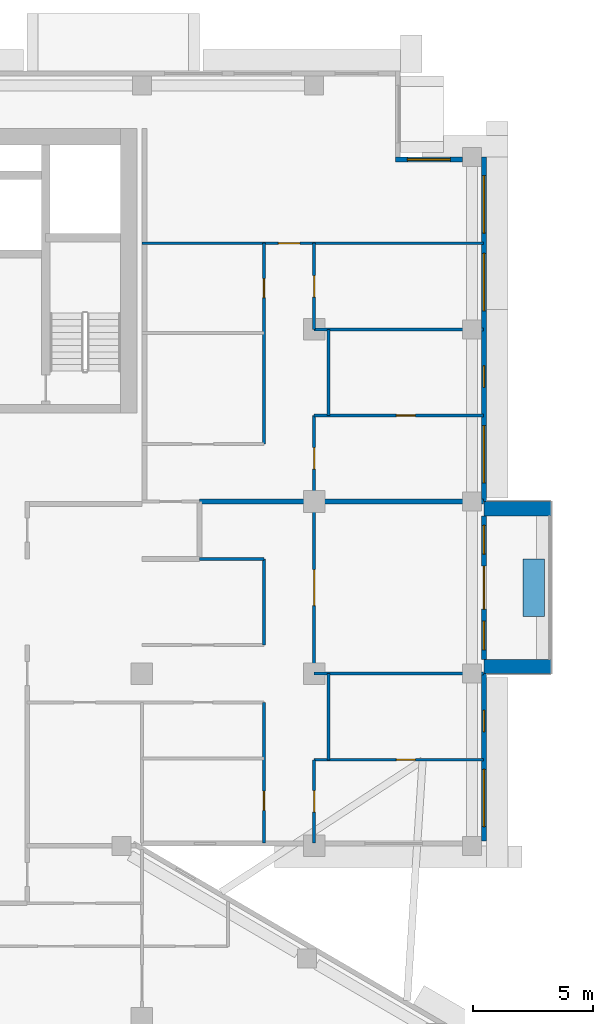
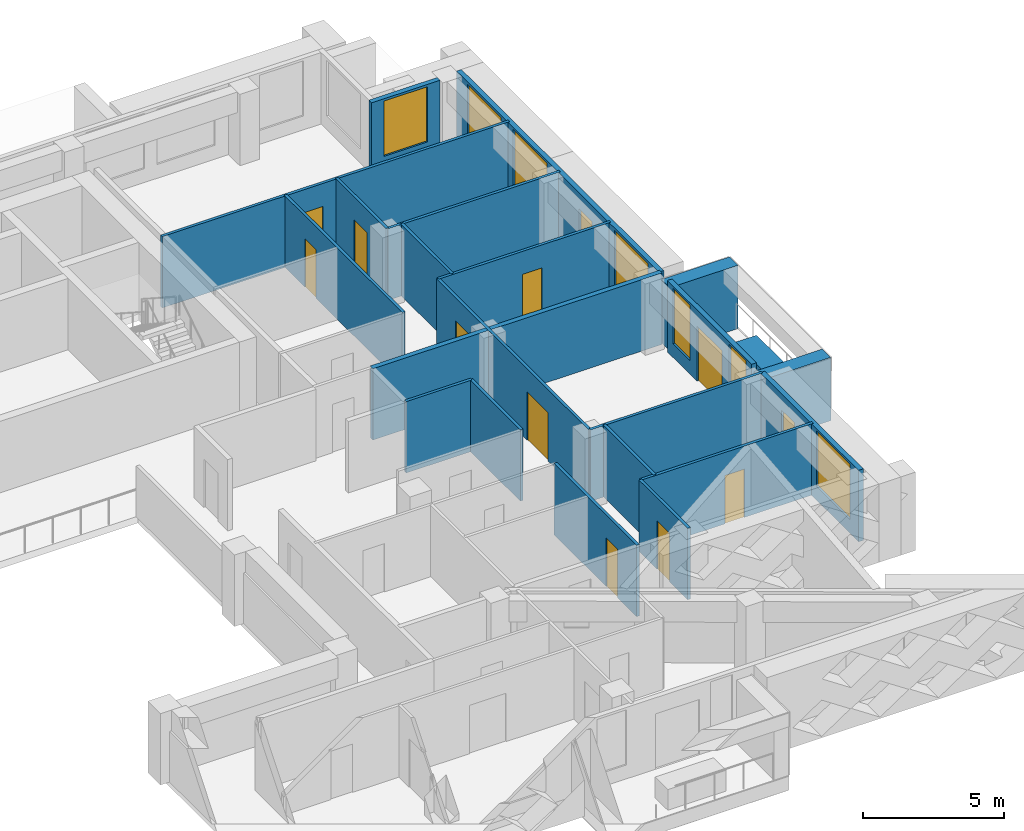
# One storey, part 12 of 20: 22 walls, 10 doors, 9 windows, 19 openings.
"""IFC4 building model written with IfcOpenShell, lengths in metres."""

from ifc_helpers import new_model, si_unit, direction, frame, frame_2d, origin, place, context, subcontext, project, spatial, rectangle, extrude, material, layer, layer_set, type_object, element, fill, save


model = new_model("IFC4")

# Units and contexts
model_context = context("Model", 3, precision=1e-05, world=origin(), true_north=direction((0.0, 1.0)))
body_context = subcontext(model_context, "Body", "Model", "MODEL_VIEW")
ifc_project = project(units=[si_unit("LENGTHUNIT", "METRE"), si_unit("AREAUNIT", "SQUARE_METRE"), si_unit("VOLUMEUNIT", "CUBIC_METRE"), si_unit("PLANEANGLEUNIT", "RADIAN"), si_unit("MASSUNIT", "GRAM", prefix="KILO")], contexts=[model_context])

# Site, building, storey
site_placement = place(None, origin())
site = spatial("IfcSite", under=ifc_project, at=site_placement, CompositionType="ELEMENT")
building_placement = place(site_placement, origin())
building = spatial("IfcBuilding", under=site, at=building_placement, Name="Saffron Iwan Residences", CompositionType="ELEMENT")
storey_placement = place(building_placement, frame((0.0, 0.0, 202.5)))
storey = spatial("IfcBuildingStorey", under=building, at=storey_placement, Name="L54", CompositionType="ELEMENT", Elevation=202.5)

# Walls
ifc_material_1 = material(Name="Concrete C50/60 white painted", Category="concrete")
ifc_layer_1 = layer(ifc_material_1, 0.60009765625)
ifc_layer_set_1 = layer_set([ifc_layer_1], Name="Concrete C50/60 white painted")
wall_type_1 = type_object("IfcWallType", Name="BALCONY FIN 600", PredefinedType="SOLIDWALL", material=ifc_layer_set_1)
for number, where, z_axis, x_axis, name in (
    (1, (86.300048828125, 55.5, 0.0), (0.0, 0.0, 1.0), (1.0, 0.0, 0.0), "Balcony fin L54 F2-0a"),
    (2, (86.300048828125, 62.10009765625, 0.0), (0.0, 0.0, 1.0), (1.0, 0.0, 0.0), "Balcony fin L54 F2-0b"),
):
    element("IfcWall", number, at=place(storey_placement, frame(where, z_axis=z_axis, x_axis=x_axis)), inside=storey, type_object=wall_type_1, Name=name, PredefinedType="SOLIDWALL", context=body_context, shape_type="SweptSolid", body=[
        extrude(rectangle(XDim=2.800048828125, YDim=0.60009765625, at=frame_2d((1.39990234375, 0.0))), origin(), (0.0, 0.0, 1.0), 2.75),
    ])
ifc_material_2 = material(Name="Concrete C35/45 white painted", Category="concrete")
ifc_layer_2 = layer(ifc_material_2, 0.14990234375)
ifc_layer_set_2 = layer_set([ifc_layer_2], Name="Concrete C35/45 white painted")
wall_type_2 = type_object("IfcWallType", Name="BALCONY PLANTER", PredefinedType="SOLIDWALL", material=ifc_layer_set_2)
wall_1_placement = place(storey_placement, frame((88.375, 57.60009765625, 0.0), z_axis=(0.0, 0.0, 1.0), x_axis=(0.0, 1.0, 0.0)))
element("IfcWall", 3, at=wall_1_placement, inside=storey, type_object=wall_type_2, Name="PLANTER L54 F2-0", PredefinedType="SOLIDWALL", context=body_context, shape_type="SweptSolid", body=[
    extrude(rectangle(XDim=2.39990234375, YDim=0.89990234375, at=frame_2d((1.199951171875, 0.0))), origin(), (0.0, 0.0, 1.0), 0.89990234375),
])

# Wall, openings, windows
ifc_material_3 = material(Name="Concrete C40/50", Category="concrete")
ifc_layer_3 = layer(ifc_material_3, 0.199951171875)
ifc_layer_set_3 = layer_set([ifc_layer_3], Name="Concrete C40/50")
wall_type_3 = type_object("IfcWallType", Name="EXTERNAL WALL 200", PredefinedType="SOLIDWALL", material=ifc_layer_set_3)
wall_2_placement = place(storey_placement, frame((86.300048828125, 48.199951171875, 0.0), z_axis=(0.0, 0.0, 1.0), x_axis=(0.0, 1.0, 0.0)))
wall_2 = element("IfcWall", 4, at=wall_2_placement, inside=storey, type_object=wall_type_3, Name="External wall L54 F2.0", PredefinedType="SOLIDWALL", context=body_context, shape_type="SweptSolid", body=[
    extrude(rectangle(XDim=7.0, YDim=0.199951171875, at=frame_2d((3.5, 0.0))), origin(), (0.0, 0.0, 1.0), 3.10009765625),
])
opening_1_placement = place(wall_2_placement, frame((0.60009765625, 0.0, 0.60009765625)))
opening_1 = element("IfcOpeningElement", 5, at=opening_1_placement, cuts=wall_2, Name="Opening W1", PredefinedType="OPENING", context=body_context, shape_type="SweptSolid", body=[
    extrude(rectangle(XDim=2.39990234375, YDim=2.39990234375, at=frame_2d((1.199951171875, 1.199951171875))), frame((0.0, 0.10986328125, 0.0), z_axis=(0.0, -1.0, 0.0), x_axis=(1.0, 0.0, 0.0)), (0.0, 0.0, 1.0), 0.219970703125),
])
opening_2_placement = place(wall_2_placement, frame((4.574951171875, 0.0, 1.5)))
opening_2 = element("IfcOpeningElement", 6, at=opening_2_placement, cuts=wall_2, Name="Opening W6", PredefinedType="OPENING", context=body_context, shape_type="SweptSolid", body=[
    extrude(rectangle(XDim=0.89990234375, YDim=0.89990234375, at=frame_2d((0.449951171875, 0.449951171875))), frame((0.0, 0.10986328125, 0.0), z_axis=(0.0, -1.0, 0.0), x_axis=(1.0, 0.0, 0.0)), (0.0, 0.0, 1.0), 0.219970703125),
])
ifc_material_4 = material(Name="Clear glass, laminated double glazed", Category="glass")
window_type_1 = type_object("IfcWindowType", Name="WINDOW 2400 x 2400", PartitioningType="DOUBLE_PANEL_VERTICAL", PredefinedType="WINDOW", material=ifc_material_4)
window_1_placement = place(opening_1_placement, origin())
window_1 = element("IfcWindow", 7, at=window_1_placement, inside=storey, type_object=window_type_1, Name="Window L54 F2.0", OverallHeight=2.39990234375, OverallWidth=2.39990234375, PartitioningType="DOUBLE_PANEL_VERTICAL", PredefinedType="WINDOW", context=body_context, shape_type="SweptSolid", body=[
    extrude(rectangle(XDim=2.39990234375, YDim=2.39990234375, at=frame_2d((1.199951171875, 1.199951171875))), frame((0.0, 0.030029296875, 0.0), z_axis=(0.0, -1.0, 0.0), x_axis=(1.0, 0.0, 0.0)), (0.0, 0.0, 1.0), 0.06005859375),
])
fill(opening_1, window_1)
window_type_2 = type_object("IfcWindowType", Name="WINDOW 900 x 900 BATH", PartitioningType="SINGLE_PANEL", PredefinedType="WINDOW", material=ifc_material_4)
window_2_placement = place(opening_2_placement, origin())
window_2 = element("IfcWindow", 8, at=window_2_placement, inside=storey, type_object=window_type_2, Name="Window L54 F2.1", OverallHeight=0.89990234375, OverallWidth=0.89990234375, PartitioningType="SINGLE_PANEL", PredefinedType="WINDOW", context=body_context, shape_type="SweptSolid", body=[
    extrude(rectangle(XDim=0.89990234375, YDim=0.89990234375, at=frame_2d((0.449951171875, 0.449951171875))), frame((0.0, 0.030029296875, 0.0), z_axis=(0.0, -1.0, 0.0), x_axis=(1.0, 0.0, 0.0)), (0.0, 0.0, 1.0), 0.06005859375),
])
fill(opening_2, window_2)

# Wall, openings, door, windows
wall_3_placement = place(storey_placement, frame((86.300048828125, 55.800048828125, 0.0), z_axis=(0.0, 0.0, 1.0), x_axis=(0.0, 1.0, 0.0)))
wall_3 = element("IfcWall", 9, at=wall_3_placement, inside=storey, type_object=wall_type_3, Name="External wall L54 F2.1", PredefinedType="SOLIDWALL", context=body_context, shape_type="SweptSolid", body=[
    extrude(rectangle(XDim=6.0, YDim=0.199951171875, at=frame_2d((3.0, 0.0))), origin(), (0.0, 0.0, 1.0), 3.10009765625),
])
opening_3_placement = place(wall_3_placement, frame((2.10009765625, 0.0, 0.0)))
opening_3 = element("IfcOpeningElement", 10, at=opening_3_placement, cuts=wall_3, Name="Opening BD1", PredefinedType="OPENING", context=body_context, shape_type="SweptSolid", body=[
    extrude(rectangle(XDim=1.800048828125, YDim=2.39990234375, at=frame_2d((0.89990234375, 1.199951171875))), frame((0.0, 0.10986328125, 0.0), z_axis=(0.0, -1.0, 0.0), x_axis=(1.0, 0.0, 0.0)), (0.0, 0.0, 1.0), 0.219970703125),
])
opening_4_placement = place(wall_3_placement, frame((0.39990234375, 0.0, 0.60009765625)))
opening_4 = element("IfcOpeningElement", 11, at=opening_4_placement, cuts=wall_3, Name="Opening W3", PredefinedType="OPENING", context=body_context, shape_type="SweptSolid", body=[
    extrude(rectangle(XDim=1.199951171875, YDim=2.39990234375, at=frame_2d((0.60009765625, 1.199951171875))), frame((0.0, 0.10986328125, 0.0), z_axis=(0.0, -1.0, 0.0), x_axis=(1.0, 0.0, 0.0)), (0.0, 0.0, 1.0), 0.219970703125),
])
opening_5_placement = place(wall_3_placement, frame((4.39990234375, 0.0, 0.60009765625)))
opening_5 = element("IfcOpeningElement", 12, at=opening_5_placement, cuts=wall_3, Name="Opening W3", PredefinedType="OPENING", context=body_context, shape_type="SweptSolid", body=[
    extrude(rectangle(XDim=1.199951171875, YDim=2.39990234375, at=frame_2d((0.60009765625, 1.199951171875))), frame((0.0, 0.10986328125, 0.0), z_axis=(0.0, -1.0, 0.0), x_axis=(1.0, 0.0, 0.0)), (0.0, 0.0, 1.0), 0.219970703125),
])
door_type_1 = type_object("IfcDoorType", Name="BALCONY DOOR 1800 x 2400", OperationType="DOUBLE_DOOR_SLIDING", PredefinedType="DOOR", material=ifc_material_4)
door_1_placement = place(opening_3_placement, origin())
door_1 = element("IfcDoor", 13, at=door_1_placement, inside=storey, type_object=door_type_1, Name="Balcony door L54 F2.0", OperationType="DOUBLE_DOOR_SLIDING", OverallHeight=2.39990234375, OverallWidth=1.800048828125, PredefinedType="DOOR", context=body_context, shape_type="SweptSolid", body=[
    extrude(rectangle(XDim=1.800048828125, YDim=2.39990234375, at=frame_2d((0.89990234375, 1.199951171875))), frame((0.0, 0.02490234375, 0.0), z_axis=(0.0, -1.0, 0.0), x_axis=(1.0, 0.0, 0.0)), (0.0, 0.0, 1.0), 0.050048828125),
])
fill(opening_3, door_1)
window_type_3 = type_object("IfcWindowType", Name="WINDOW 1200 x 2400", PartitioningType="SINGLE_PANEL", PredefinedType="WINDOW", material=ifc_material_4)
window_3_placement = place(opening_4_placement, origin())
window_3 = element("IfcWindow", 14, at=window_3_placement, inside=storey, type_object=window_type_3, Name="Window L54 F2.1", OverallHeight=2.39990234375, OverallWidth=1.199951171875, PartitioningType="SINGLE_PANEL", PredefinedType="WINDOW", context=body_context, shape_type="SweptSolid", body=[
    extrude(rectangle(XDim=1.199951171875, YDim=2.39990234375, at=frame_2d((0.60009765625, 1.199951171875))), frame((0.0, 0.030029296875, 0.0), z_axis=(0.0, -1.0, 0.0), x_axis=(1.0, 0.0, 0.0)), (0.0, 0.0, 1.0), 0.06005859375),
])
fill(opening_4, window_3)
window_4_placement = place(opening_5_placement, origin())
window_4 = element("IfcWindow", 15, at=window_4_placement, inside=storey, type_object=window_type_3, Name="Window L54 F2.2", OverallHeight=2.39990234375, OverallWidth=1.199951171875, PartitioningType="SINGLE_PANEL", PredefinedType="WINDOW", context=body_context, shape_type="SweptSolid", body=[
    extrude(rectangle(XDim=1.199951171875, YDim=2.39990234375, at=frame_2d((0.60009765625, 1.199951171875))), frame((0.0, 0.030029296875, 0.0), z_axis=(0.0, -1.0, 0.0), x_axis=(1.0, 0.0, 0.0)), (0.0, 0.0, 1.0), 0.06005859375),
])
fill(opening_5, window_4)

# Wall, openings, windows
wall_4_placement = place(storey_placement, frame((86.300048828125, 62.39990234375, 0.0), z_axis=(0.0, 0.0, 1.0), x_axis=(0.0, 1.0, 0.0)))
wall_4 = element("IfcWall", 16, at=wall_4_placement, inside=storey, type_object=wall_type_3, Name="External wall L54 F2.2", PredefinedType="SOLIDWALL", context=body_context, shape_type="SweptSolid", body=[
    extrude(rectangle(XDim=14.400146484375, YDim=0.199951171875, at=frame_2d((7.2001953125, 0.0))), origin(), (0.0, 0.0, 1.0), 3.10009765625),
])
opening_6_placement = place(wall_4_placement, frame((0.77490234375, 0.0, 0.60009765625)))
opening_6 = element("IfcOpeningElement", 17, at=opening_6_placement, cuts=wall_4, Name="Opening W1", PredefinedType="OPENING", context=body_context, shape_type="SweptSolid", body=[
    extrude(rectangle(XDim=2.39990234375, YDim=2.39990234375, at=frame_2d((1.199951171875, 1.199951171875))), frame((0.0, 0.10986328125, 0.0), z_axis=(0.0, -1.0, 0.0), x_axis=(1.0, 0.0, 0.0)), (0.0, 0.0, 1.0), 0.219970703125),
])
opening_7_placement = place(wall_4_placement, frame((4.77490234375, 0.0, 1.5)))
opening_7 = element("IfcOpeningElement", 18, at=opening_7_placement, cuts=wall_4, Name="Opening W6", PredefinedType="OPENING", context=body_context, shape_type="SweptSolid", body=[
    extrude(rectangle(XDim=0.89990234375, YDim=0.89990234375, at=frame_2d((0.449951171875, 0.449951171875))), frame((0.0, 0.10986328125, 0.0), z_axis=(0.0, -1.0, 0.0), x_axis=(1.0, 0.0, 0.0)), (0.0, 0.0, 1.0), 0.219970703125),
])
opening_8_placement = place(wall_4_placement, frame((7.97509765625, 0.0, 0.60009765625)))
opening_8 = element("IfcOpeningElement", 19, at=opening_8_placement, cuts=wall_4, Name="Opening W1", PredefinedType="OPENING", context=body_context, shape_type="SweptSolid", body=[
    extrude(rectangle(XDim=2.39990234375, YDim=2.39990234375, at=frame_2d((1.199951171875, 1.199951171875))), frame((0.0, 0.10986328125, 0.0), z_axis=(0.0, -1.0, 0.0), x_axis=(1.0, 0.0, 0.0)), (0.0, 0.0, 1.0), 0.219970703125),
])
opening_9_placement = place(wall_4_placement, frame((11.22509765625, 0.0, 0.60009765625)))
opening_9 = element("IfcOpeningElement", 20, at=opening_9_placement, cuts=wall_4, Name="Opening W1", PredefinedType="OPENING", context=body_context, shape_type="SweptSolid", body=[
    extrude(rectangle(XDim=2.39990234375, YDim=2.39990234375, at=frame_2d((1.199951171875, 1.199951171875))), frame((0.0, 0.10986328125, 0.0), z_axis=(0.0, -1.0, 0.0), x_axis=(1.0, 0.0, 0.0)), (0.0, 0.0, 1.0), 0.219970703125),
])
window_5_placement = place(opening_6_placement, origin())
window_5 = element("IfcWindow", 21, at=window_5_placement, inside=storey, type_object=window_type_1, Name="Window L54 F2.0", OverallHeight=2.39990234375, OverallWidth=2.39990234375, PartitioningType="DOUBLE_PANEL_VERTICAL", PredefinedType="WINDOW", context=body_context, shape_type="SweptSolid", body=[
    extrude(rectangle(XDim=2.39990234375, YDim=2.39990234375, at=frame_2d((1.199951171875, 1.199951171875))), frame((0.0, 0.030029296875, 0.0), z_axis=(0.0, -1.0, 0.0), x_axis=(1.0, 0.0, 0.0)), (0.0, 0.0, 1.0), 0.06005859375),
])
fill(opening_6, window_5)
window_6_placement = place(opening_8_placement, origin())
window_6 = element("IfcWindow", 22, at=window_6_placement, inside=storey, type_object=window_type_1, Name="Window L54 F2.2", OverallHeight=2.39990234375, OverallWidth=2.39990234375, PartitioningType="DOUBLE_PANEL_VERTICAL", PredefinedType="WINDOW", context=body_context, shape_type="SweptSolid", body=[
    extrude(rectangle(XDim=2.39990234375, YDim=2.39990234375, at=frame_2d((1.199951171875, 1.199951171875))), frame((0.0, 0.030029296875, 0.0), z_axis=(0.0, -1.0, 0.0), x_axis=(1.0, 0.0, 0.0)), (0.0, 0.0, 1.0), 0.06005859375),
])
fill(opening_8, window_6)
window_7_placement = place(opening_9_placement, origin())
window_7 = element("IfcWindow", 23, at=window_7_placement, inside=storey, type_object=window_type_1, Name="Window L54 F2.3", OverallHeight=2.39990234375, OverallWidth=2.39990234375, PartitioningType="DOUBLE_PANEL_VERTICAL", PredefinedType="WINDOW", context=body_context, shape_type="SweptSolid", body=[
    extrude(rectangle(XDim=2.39990234375, YDim=2.39990234375, at=frame_2d((1.199951171875, 1.199951171875))), frame((0.0, 0.030029296875, 0.0), z_axis=(0.0, -1.0, 0.0), x_axis=(1.0, 0.0, 0.0)), (0.0, 0.0, 1.0), 0.06005859375),
])
fill(opening_9, window_7)
window_8_placement = place(opening_7_placement, origin())
window_8 = element("IfcWindow", 24, at=window_8_placement, inside=storey, type_object=window_type_2, Name="Window L54 F2.1", OverallHeight=0.89990234375, OverallWidth=0.89990234375, PartitioningType="SINGLE_PANEL", PredefinedType="WINDOW", context=body_context, shape_type="SweptSolid", body=[
    extrude(rectangle(XDim=0.89990234375, YDim=0.89990234375, at=frame_2d((0.449951171875, 0.449951171875))), frame((0.0, 0.030029296875, 0.0), z_axis=(0.0, -1.0, 0.0), x_axis=(1.0, 0.0, 0.0)), (0.0, 0.0, 1.0), 0.06005859375),
])
fill(opening_7, window_8)

# Wall, opening, window
wall_5_placement = place(storey_placement, frame((85.39990234375, 76.699951171875, 0.0), z_axis=(0.0, 0.0, 1.0), x_axis=(-1.0, 0.0, 0.0)))
wall_5 = element("IfcWall", 25, at=wall_5_placement, inside=storey, type_object=wall_type_3, Name="External wall L54 F3.0", PredefinedType="SOLIDWALL", context=body_context, shape_type="SweptSolid", body=[
    extrude(rectangle(XDim=2.7998046875, YDim=0.199951171875, at=frame_2d((1.39990234375, 0.0))), origin(), (0.0, 0.0, 1.0), 3.10009765625),
])
opening_10_placement = place(wall_5_placement, frame((0.5, 0.0, 0.60009765625)))
opening_10 = element("IfcOpeningElement", 26, at=opening_10_placement, cuts=wall_5, Name="Opening W8", PredefinedType="OPENING", context=body_context, shape_type="SweptSolid", body=[
    extrude(rectangle(XDim=1.800048828125, YDim=2.39990234375, at=frame_2d((0.89990234375, 1.199951171875))), frame((0.0, 0.10986328125, 0.0), z_axis=(0.0, -1.0, 0.0), x_axis=(1.0, 0.0, 0.0)), (0.0, 0.0, 1.0), 0.219970703125),
])
window_type_4 = type_object("IfcWindowType", Name="WINDOW 1800 x 2400", PartitioningType="DOUBLE_PANEL_VERTICAL", PredefinedType="WINDOW", material=ifc_material_4)
window_9_placement = place(opening_10_placement, origin())
window_9 = element("IfcWindow", 27, at=window_9_placement, inside=storey, type_object=window_type_4, Name="Window L54 F3.0", OverallHeight=2.39990234375, OverallWidth=1.800048828125, PartitioningType="DOUBLE_PANEL_VERTICAL", PredefinedType="WINDOW", context=body_context, shape_type="SweptSolid", body=[
    extrude(rectangle(XDim=1.800048828125, YDim=2.39990234375, at=frame_2d((0.89990234375, 1.199951171875))), frame((0.0, 0.030029296875, 0.0), z_axis=(0.0, -1.0, 0.0), x_axis=(1.0, 0.0, 0.0)), (0.0, 0.0, 1.0), 0.06005859375),
])
fill(opening_10, window_9)

# Wall
ifc_material_5 = material(Name="Fire-rated gypsum board wall")
ifc_layer_4 = layer(ifc_material_5, 0.199951171875)
ifc_layer_set_4 = layer_set([ifc_layer_4], Name="Fire-rated gypsum board wall")
wall_type_4 = type_object("IfcWallType", Name="Flat demising wall 200", PredefinedType="SOLIDWALL", material=ifc_layer_set_4)
wall_6_placement = place(storey_placement, frame((74.39990234375, 62.39990234375, 0.0), z_axis=(0.0, 0.0, 1.0), x_axis=(1.0, 0.0, 0.0)))
element("IfcWall", 28, at=wall_6_placement, inside=storey, type_object=wall_type_4, Name="W-L54-DEMISE-h62.4-74.4", PredefinedType="SOLIDWALL", context=body_context, shape_type="SweptSolid", body=[
    extrude(rectangle(XDim=11.875, YDim=0.199951171875, at=frame_2d((5.9375, 0.0))), origin(), (0.0, 0.0, 1.0), 3.10009765625),
])

# Wall, opening, door
ifc_material_6 = material(Name="Gypsum board partition")
ifc_layer_5 = layer(ifc_material_6, 0.1201171875)
ifc_layer_set_5 = layer_set([ifc_layer_5], Name="Gypsum board partition")
wall_type_5 = type_object("IfcWallType", Name="Flat partition 120", PredefinedType="PARTITIONING", material=ifc_layer_set_5)
wall_7_placement = place(storey_placement, frame((79.199951171875, 51.60009765625, 0.0), z_axis=(0.0, 0.0, 1.0), x_axis=(1.0, 0.0, 0.0)))
wall_7 = element("IfcWall", 29, at=wall_7_placement, inside=storey, type_object=wall_type_5, Name="W-L54-PART-h51.6-79.2", PredefinedType="PARTITIONING", context=body_context, shape_type="SweptSolid", body=[
    extrude(rectangle(XDim=7.074951171875, YDim=0.1201171875, at=frame_2d((3.53759765625, 0.0))), origin(), (0.0, 0.0, 1.0), 3.10009765625),
])
opening_11_placement = place(wall_7_placement, frame((3.4375, 0.0, 0.0)))
opening_11 = element("IfcOpeningElement", 30, at=opening_11_placement, cuts=wall_7, Name="Opening FD3", PredefinedType="OPENING", context=body_context, shape_type="SweptSolid", body=[
    extrude(rectangle(XDim=0.800048828125, YDim=2.10009765625, at=frame_2d((0.39990234375, 1.050048828125))), frame((0.0, 0.070068359375, 0.0), z_axis=(0.0, -1.0, 0.0), x_axis=(1.0, 0.0, 0.0)), (0.0, 0.0, 1.0), 0.14013671875),
])
ifc_material_7 = material(Name="Timber door", Category="wood")
door_type_2 = type_object("IfcDoorType", Name="Bathroom door 800", OperationType="NOTDEFINED", PredefinedType="DOOR", material=ifc_material_7)
door_2_placement = place(opening_11_placement, origin())
door_2 = element("IfcDoor", 31, at=door_2_placement, inside=storey, type_object=door_type_2, Name="Door L54-018", OperationType="SINGLE_SWING_LEFT", OverallHeight=2.10009765625, OverallWidth=0.800048828125, PredefinedType="DOOR", context=body_context, shape_type="SweptSolid", body=[
    extrude(rectangle(XDim=0.800048828125, YDim=2.10009765625, at=frame_2d((0.39990234375, 1.050048828125))), frame((0.0, 0.02490234375, 0.0), z_axis=(0.0, -1.0, 0.0), x_axis=(1.0, 0.0, 0.0)), (0.0, 0.0, 1.0), 0.050048828125),
])
fill(opening_11, door_2)

# Walls
wall_8_placement = place(storey_placement, frame((79.199951171875, 55.199951171875, 0.0), z_axis=(0.0, 0.0, 1.0), x_axis=(1.0, 0.0, 0.0)))
element("IfcWall", 32, at=wall_8_placement, inside=storey, type_object=wall_type_5, Name="W-L54-PART-h55.2-79.2", PredefinedType="PARTITIONING", context=body_context, shape_type="SweptSolid", body=[
    extrude(rectangle(XDim=7.074951171875, YDim=0.1201171875, at=frame_2d((3.53759765625, 0.0))), origin(), (0.0, 0.0, 1.0), 3.10009765625),
])
wall_9_placement = place(storey_placement, frame((74.39990234375, 60.0, 0.0), z_axis=(0.0, 0.0, 1.0), x_axis=(1.0, 0.0, 0.0)))
element("IfcWall", 33, at=wall_9_placement, inside=storey, type_object=wall_type_5, Name="W-L54-PART-h60-74.4", PredefinedType="PARTITIONING", context=body_context, shape_type="SweptSolid", body=[
    extrude(rectangle(XDim=2.7001953125, YDim=0.1201171875, at=frame_2d((1.35009765625, 0.0))), origin(), (0.0, 0.0, 1.0), 3.10009765625),
])

# Wall, opening, door
wall_10_placement = place(storey_placement, frame((79.199951171875, 66.0, 0.0), z_axis=(0.0, 0.0, 1.0), x_axis=(1.0, 0.0, 0.0)))
wall_10 = element("IfcWall", 34, at=wall_10_placement, inside=storey, type_object=wall_type_5, Name="W-L54-PART-h66-79.2", PredefinedType="PARTITIONING", context=body_context, shape_type="SweptSolid", body=[
    extrude(rectangle(XDim=7.074951171875, YDim=0.1201171875, at=frame_2d((3.53759765625, 0.0))), origin(), (0.0, 0.0, 1.0), 3.10009765625),
])
opening_12_placement = place(wall_10_placement, frame((3.4375, 0.0, 0.0)))
opening_12 = element("IfcOpeningElement", 35, at=opening_12_placement, cuts=wall_10, Name="Opening FD3", PredefinedType="OPENING", context=body_context, shape_type="SweptSolid", body=[
    extrude(rectangle(XDim=0.800048828125, YDim=2.10009765625, at=frame_2d((0.39990234375, 1.050048828125))), frame((0.0, 0.070068359375, 0.0), z_axis=(0.0, -1.0, 0.0), x_axis=(1.0, 0.0, 0.0)), (0.0, 0.0, 1.0), 0.14013671875),
])
door_3_placement = place(opening_12_placement, origin())
door_3 = element("IfcDoor", 36, at=door_3_placement, inside=storey, type_object=door_type_2, Name="Door L54-035", OperationType="SINGLE_SWING_LEFT", OverallHeight=2.10009765625, OverallWidth=0.800048828125, PredefinedType="DOOR", context=body_context, shape_type="SweptSolid", body=[
    extrude(rectangle(XDim=0.800048828125, YDim=2.10009765625, at=frame_2d((0.39990234375, 1.050048828125))), frame((0.0, 0.02490234375, 0.0), z_axis=(0.0, -1.0, 0.0), x_axis=(1.0, 0.0, 0.0)), (0.0, 0.0, 1.0), 0.050048828125),
])
fill(opening_12, door_3)

# Wall
wall_11_placement = place(storey_placement, frame((79.199951171875, 69.60009765625, 0.0), z_axis=(0.0, 0.0, 1.0), x_axis=(1.0, 0.0, 0.0)))
element("IfcWall", 37, at=wall_11_placement, inside=storey, type_object=wall_type_5, Name="W-L54-PART-h69.6-79.2", PredefinedType="PARTITIONING", context=body_context, shape_type="SweptSolid", body=[
    extrude(rectangle(XDim=7.074951171875, YDim=0.1201171875, at=frame_2d((3.53759765625, 0.0))), origin(), (0.0, 0.0, 1.0), 3.10009765625),
])

# Wall, opening, door
wall_12_placement = place(storey_placement, frame((72.0, 73.199951171875, 0.0), z_axis=(0.0, 0.0, 1.0), x_axis=(1.0, 0.0, 0.0)))
wall_12 = element("IfcWall", 38, at=wall_12_placement, inside=storey, type_object=wall_type_5, Name="W-L54-PART-h73.2-72", PredefinedType="PARTITIONING", context=body_context, shape_type="SweptSolid", body=[
    extrude(rectangle(XDim=14.27490234375, YDim=0.1201171875, at=frame_2d((7.137451171875, 0.0))), origin(), (0.0, 0.0, 1.0), 3.10009765625),
])
opening_13_placement = place(wall_12_placement, frame((5.699951171875, 0.0, 0.0)))
opening_13 = element("IfcOpeningElement", 39, at=opening_13_placement, cuts=wall_12, Name="Opening FD2", PredefinedType="OPENING", context=body_context, shape_type="SweptSolid", body=[
    extrude(rectangle(XDim=0.89990234375, YDim=2.10009765625, at=frame_2d((0.449951171875, 1.050048828125))), frame((0.0, 0.070068359375, 0.0), z_axis=(0.0, -1.0, 0.0), x_axis=(1.0, 0.0, 0.0)), (0.0, 0.0, 1.0), 0.14013671875),
])
door_type_3 = type_object("IfcDoorType", Name="Flat door 900", OperationType="NOTDEFINED", PredefinedType="DOOR", material=ifc_material_7)
door_4_placement = place(opening_13_placement, origin())
door_4 = element("IfcDoor", 40, at=door_4_placement, inside=storey, type_object=door_type_3, Name="Door L54-037", OperationType="SINGLE_SWING_RIGHT", OverallHeight=2.10009765625, OverallWidth=0.89990234375, PredefinedType="DOOR", context=body_context, shape_type="SweptSolid", body=[
    extrude(rectangle(XDim=0.89990234375, YDim=2.10009765625, at=frame_2d((0.449951171875, 1.050048828125))), frame((0.0, 0.02490234375, 0.0), z_axis=(0.0, -1.0, 0.0), x_axis=(1.0, 0.0, 0.0)), (0.0, 0.0, 1.0), 0.050048828125),
])
fill(opening_13, door_4)

wall_13_placement = place(storey_placement, frame((77.10009765625, 48.125, 0.0), z_axis=(0.0, 0.0, 1.0), x_axis=(0.0, 1.0, 0.0)))
wall_13 = element("IfcWall", 41, at=wall_13_placement, inside=storey, type_object=wall_type_5, Name="W-L54-PART-v77.1-48.125", PredefinedType="PARTITIONING", context=body_context, shape_type="SweptSolid", body=[
    extrude(rectangle(XDim=5.875, YDim=0.1201171875, at=frame_2d((2.9375, 0.0))), origin(), (0.0, 0.0, 1.0), 3.10009765625),
])
opening_14_placement = place(wall_13_placement, frame((1.362548828125, 0.0, 0.0)))
opening_14 = element("IfcOpeningElement", 42, at=opening_14_placement, cuts=wall_13, Name="Opening FD3", PredefinedType="OPENING", context=body_context, shape_type="SweptSolid", body=[
    extrude(rectangle(XDim=0.800048828125, YDim=2.10009765625, at=frame_2d((0.39990234375, 1.050048828125))), frame((0.0, 0.070068359375, 0.0), z_axis=(0.0, -1.0, 0.0), x_axis=(1.0, 0.0, 0.0)), (0.0, 0.0, 1.0), 0.14013671875),
])
door_5_placement = place(opening_14_placement, origin())
door_5 = element("IfcDoor", 43, at=door_5_placement, inside=storey, type_object=door_type_2, Name="Door L54-020", OperationType="SINGLE_SWING_LEFT", OverallHeight=2.10009765625, OverallWidth=0.800048828125, PredefinedType="DOOR", context=body_context, shape_type="SweptSolid", body=[
    extrude(rectangle(XDim=0.800048828125, YDim=2.10009765625, at=frame_2d((0.39990234375, 1.050048828125))), frame((0.0, 0.02490234375, 0.0), z_axis=(0.0, -1.0, 0.0), x_axis=(1.0, 0.0, 0.0)), (0.0, 0.0, 1.0), 0.050048828125),
])
fill(opening_14, door_5)

# Wall
wall_14_placement = place(storey_placement, frame((77.10009765625, 56.39990234375, 0.0), z_axis=(0.0, 0.0, 1.0), x_axis=(0.0, 1.0, 0.0)))
element("IfcWall", 44, at=wall_14_placement, inside=storey, type_object=wall_type_5, Name="W-L54-PART-v77.1-56.4", PredefinedType="PARTITIONING", context=body_context, shape_type="SweptSolid", body=[
    extrude(rectangle(XDim=3.60009765625, YDim=0.1201171875, at=frame_2d((1.800048828125, 0.0))), origin(), (0.0, 0.0, 1.0), 3.10009765625),
])

# Wall, opening, door
wall_15_placement = place(storey_placement, frame((77.10009765625, 64.800048828125, 0.0), z_axis=(0.0, 0.0, 1.0), x_axis=(0.0, 1.0, 0.0)))
wall_15 = element("IfcWall", 45, at=wall_15_placement, inside=storey, type_object=wall_type_5, Name="W-L54-PART-v77.1-64.8", PredefinedType="PARTITIONING", context=body_context, shape_type="SweptSolid", body=[
    extrude(rectangle(XDim=8.39990234375, YDim=0.1201171875, at=frame_2d((4.199951171875, 0.0))), origin(), (0.0, 0.0, 1.0), 3.10009765625),
])
opening_15_placement = place(wall_15_placement, frame((6.125, 0.0, 0.0)))
opening_15 = element("IfcOpeningElement", 46, at=opening_15_placement, cuts=wall_15, Name="Opening FD3", PredefinedType="OPENING", context=body_context, shape_type="SweptSolid", body=[
    extrude(rectangle(XDim=0.800048828125, YDim=2.10009765625, at=frame_2d((0.39990234375, 1.050048828125))), frame((0.0, 0.070068359375, 0.0), z_axis=(0.0, -1.0, 0.0), x_axis=(1.0, 0.0, 0.0)), (0.0, 0.0, 1.0), 0.14013671875),
])
door_6_placement = place(opening_15_placement, origin())
door_6 = element("IfcDoor", 47, at=door_6_placement, inside=storey, type_object=door_type_2, Name="Door L54-039", OperationType="SINGLE_SWING_LEFT", OverallHeight=2.10009765625, OverallWidth=0.800048828125, PredefinedType="DOOR", context=body_context, shape_type="SweptSolid", body=[
    extrude(rectangle(XDim=0.800048828125, YDim=2.10009765625, at=frame_2d((0.39990234375, 1.050048828125))), frame((0.0, 0.02490234375, 0.0), z_axis=(0.0, -1.0, 0.0), x_axis=(1.0, 0.0, 0.0)), (0.0, 0.0, 1.0), 0.050048828125),
])
fill(opening_15, door_6)

wall_16_placement = place(storey_placement, frame((79.199951171875, 48.125, 0.0), z_axis=(0.0, 0.0, 1.0), x_axis=(0.0, 1.0, 0.0)))
wall_16 = element("IfcWall", 48, at=wall_16_placement, inside=storey, type_object=wall_type_5, Name="W-L54-PART-v79.2-48.125", PredefinedType="PARTITIONING", context=body_context, shape_type="SweptSolid", body=[
    extrude(rectangle(XDim=3.47509765625, YDim=0.1201171875, at=frame_2d((1.737548828125, 0.0))), origin(), (0.0, 0.0, 1.0), 3.10009765625),
])
opening_16_placement = place(wall_16_placement, frame((1.28759765625, 0.0, 0.0)))
opening_16 = element("IfcOpeningElement", 49, at=opening_16_placement, cuts=wall_16, Name="Opening FD2", PredefinedType="OPENING", context=body_context, shape_type="SweptSolid", body=[
    extrude(rectangle(XDim=0.89990234375, YDim=2.10009765625, at=frame_2d((0.449951171875, 1.050048828125))), frame((0.0, 0.070068359375, 0.0), z_axis=(0.0, -1.0, 0.0), x_axis=(1.0, 0.0, 0.0)), (0.0, 0.0, 1.0), 0.14013671875),
])
door_7_placement = place(opening_16_placement, origin())
door_7 = element("IfcDoor", 50, at=door_7_placement, inside=storey, type_object=door_type_3, Name="Door L54-017", OperationType="SINGLE_SWING_LEFT", OverallHeight=2.10009765625, OverallWidth=0.89990234375, PredefinedType="DOOR", context=body_context, shape_type="SweptSolid", body=[
    extrude(rectangle(XDim=0.89990234375, YDim=2.10009765625, at=frame_2d((0.449951171875, 1.050048828125))), frame((0.0, 0.02490234375, 0.0), z_axis=(0.0, -1.0, 0.0), x_axis=(1.0, 0.0, 0.0)), (0.0, 0.0, 1.0), 0.050048828125),
])
fill(opening_16, door_7)

# Wall, openings, doors
wall_17_placement = place(storey_placement, frame((79.199951171875, 55.199951171875, 0.0), z_axis=(0.0, 0.0, 1.0), x_axis=(0.0, 1.0, 0.0)))
wall_17 = element("IfcWall", 51, at=wall_17_placement, inside=storey, type_object=wall_type_5, Name="W-L54-PART-v79.2-55.2", PredefinedType="PARTITIONING", context=body_context, shape_type="SweptSolid", body=[
    extrude(rectangle(XDim=10.800048828125, YDim=0.1201171875, at=frame_2d((5.39990234375, 0.0))), origin(), (0.0, 0.0, 1.0), 3.10009765625),
])
opening_17_placement = place(wall_17_placement, frame((2.85009765625, 0.0, 0.0)))
opening_17 = element("IfcOpeningElement", 52, at=opening_17_placement, cuts=wall_17, Name="Opening FD4", PredefinedType="OPENING", context=body_context, shape_type="SweptSolid", body=[
    extrude(rectangle(XDim=1.5, YDim=2.10009765625, at=frame_2d((0.75, 1.050048828125))), frame((0.0, 0.070068359375, 0.0), z_axis=(0.0, -1.0, 0.0), x_axis=(1.0, 0.0, 0.0)), (0.0, 0.0, 1.0), 0.14013671875),
])
opening_18_placement = place(wall_17_placement, frame((8.550048828125, 0.0, 0.0)))
opening_18 = element("IfcOpeningElement", 53, at=opening_18_placement, cuts=wall_17, Name="Opening FD2", PredefinedType="OPENING", context=body_context, shape_type="SweptSolid", body=[
    extrude(rectangle(XDim=0.89990234375, YDim=2.10009765625, at=frame_2d((0.449951171875, 1.050048828125))), frame((0.0, 0.070068359375, 0.0), z_axis=(0.0, -1.0, 0.0), x_axis=(1.0, 0.0, 0.0)), (0.0, 0.0, 1.0), 0.14013671875),
])
door_type_4 = type_object("IfcDoorType", Name="Double door 1500", OperationType="NOTDEFINED", PredefinedType="DOOR", material=ifc_material_7)
door_8_placement = place(opening_17_placement, origin())
door_8 = element("IfcDoor", 54, at=door_8_placement, inside=storey, type_object=door_type_4, Name="Door L54-019", OperationType="SINGLE_SWING_RIGHT", OverallHeight=2.10009765625, OverallWidth=1.5, PredefinedType="DOOR", context=body_context, shape_type="SweptSolid", body=[
    extrude(rectangle(XDim=1.5, YDim=2.10009765625, at=frame_2d((0.75, 1.050048828125))), frame((0.0, 0.02490234375, 0.0), z_axis=(0.0, -1.0, 0.0), x_axis=(1.0, 0.0, 0.0)), (0.0, 0.0, 1.0), 0.050048828125),
])
fill(opening_17, door_8)
door_9_placement = place(opening_18_placement, origin())
door_9 = element("IfcDoor", 55, at=door_9_placement, inside=storey, type_object=door_type_3, Name="Door L54-034", OperationType="SINGLE_SWING_RIGHT", OverallHeight=2.10009765625, OverallWidth=0.89990234375, PredefinedType="DOOR", context=body_context, shape_type="SweptSolid", body=[
    extrude(rectangle(XDim=0.89990234375, YDim=2.10009765625, at=frame_2d((0.449951171875, 1.050048828125))), frame((0.0, 0.02490234375, 0.0), z_axis=(0.0, -1.0, 0.0), x_axis=(1.0, 0.0, 0.0)), (0.0, 0.0, 1.0), 0.050048828125),
])
fill(opening_18, door_9)

# Wall, opening, door
wall_18_placement = place(storey_placement, frame((79.199951171875, 69.60009765625, 0.0), z_axis=(0.0, 0.0, 1.0), x_axis=(0.0, 1.0, 0.0)))
wall_18 = element("IfcWall", 56, at=wall_18_placement, inside=storey, type_object=wall_type_5, Name="W-L54-PART-v79.2-69.6", PredefinedType="PARTITIONING", context=body_context, shape_type="SweptSolid", body=[
    extrude(rectangle(XDim=3.599853515625, YDim=0.1201171875, at=frame_2d((1.7998046875, 0.0))), origin(), (0.0, 0.0, 1.0), 3.10009765625),
])
opening_19_placement = place(wall_18_placement, frame((1.35009765625, 0.0, 0.0)))
opening_19 = element("IfcOpeningElement", 57, at=opening_19_placement, cuts=wall_18, Name="Opening FD2", PredefinedType="OPENING", context=body_context, shape_type="SweptSolid", body=[
    extrude(rectangle(XDim=0.89990234375, YDim=2.10009765625, at=frame_2d((0.449951171875, 1.050048828125))), frame((0.0, 0.070068359375, 0.0), z_axis=(0.0, -1.0, 0.0), x_axis=(1.0, 0.0, 0.0)), (0.0, 0.0, 1.0), 0.14013671875),
])
door_10_placement = place(opening_19_placement, origin())
door_10 = element("IfcDoor", 58, at=door_10_placement, inside=storey, type_object=door_type_3, Name="Door L54-036", OperationType="SINGLE_SWING_LEFT", OverallHeight=2.10009765625, OverallWidth=0.89990234375, PredefinedType="DOOR", context=body_context, shape_type="SweptSolid", body=[
    extrude(rectangle(XDim=0.89990234375, YDim=2.10009765625, at=frame_2d((0.449951171875, 1.050048828125))), frame((0.0, 0.02490234375, 0.0), z_axis=(0.0, -1.0, 0.0), x_axis=(1.0, 0.0, 0.0)), (0.0, 0.0, 1.0), 0.050048828125),
])
fill(opening_19, door_10)

# Walls
wall_19_placement = place(storey_placement, frame((79.800048828125, 51.60009765625, 0.0), z_axis=(0.0, 0.0, 1.0), x_axis=(0.0, 1.0, 0.0)))
element("IfcWall", 59, at=wall_19_placement, inside=storey, type_object=wall_type_5, Name="W-L54-PART-v79.8-51.6", PredefinedType="PARTITIONING", context=body_context, shape_type="SweptSolid", body=[
    extrude(rectangle(XDim=3.599853515625, YDim=0.1201171875, at=frame_2d((1.7998046875, 0.0))), origin(), (0.0, 0.0, 1.0), 3.10009765625),
])
wall_20_placement = place(storey_placement, frame((79.800048828125, 66.0, 0.0), z_axis=(0.0, 0.0, 1.0), x_axis=(0.0, 1.0, 0.0)))
element("IfcWall", 60, at=wall_20_placement, inside=storey, type_object=wall_type_5, Name="W-L54-PART-v79.8-66", PredefinedType="PARTITIONING", context=body_context, shape_type="SweptSolid", body=[
    extrude(rectangle(XDim=3.60009765625, YDim=0.1201171875, at=frame_2d((1.800048828125, 0.0))), origin(), (0.0, 0.0, 1.0), 3.10009765625),
])

save(model, "model.ifc")
